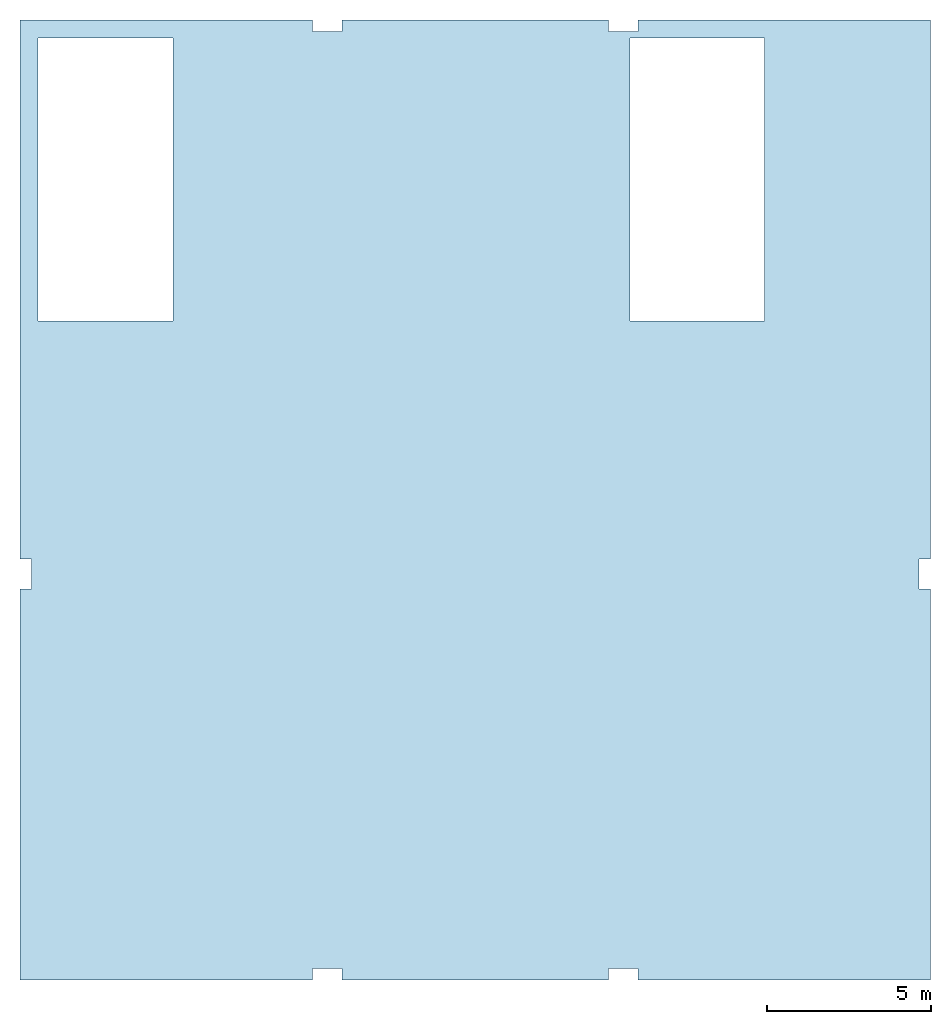
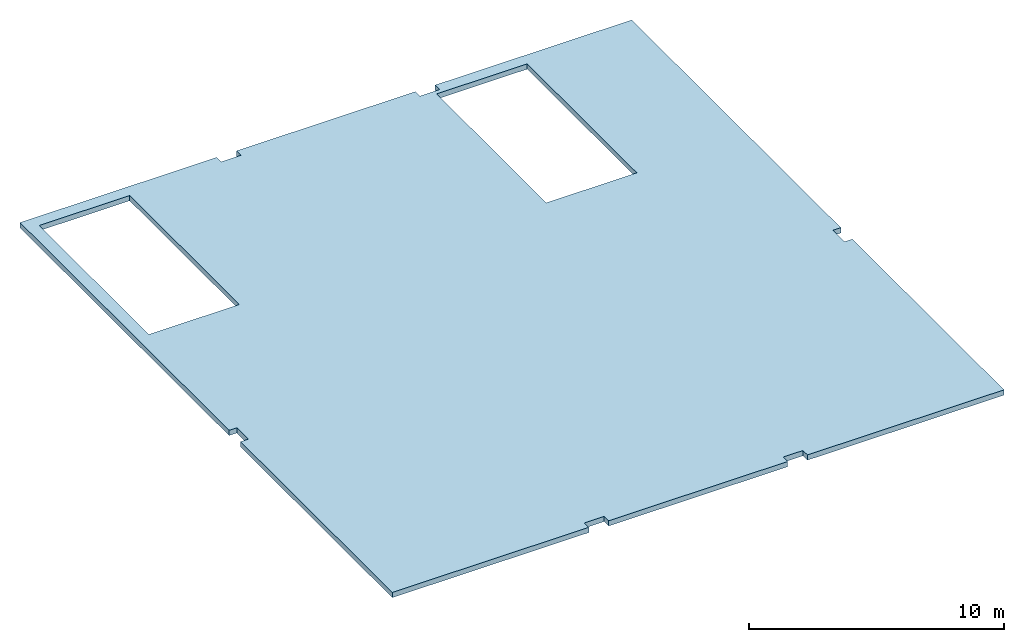
# One storey: 1 slab.
"""IFC4 building model written with IfcOpenShell, lengths in metres."""

from ifc_helpers import new_model, si_unit, direction, frame, origin, place, context, subcontext, project, spatial, polyline, outline, extrude, material, layer, layer_set, type_object, element, save


model = new_model("IFC4")

# Units and contexts
model_context = context("Model", 3, precision=1e-05, world=origin(), true_north=direction((0.0, 1.0)))
body_context = subcontext(model_context, "Body", "Model", "MODEL_VIEW")
ifc_project = project(units=[si_unit("LENGTHUNIT", "METRE"), si_unit("AREAUNIT", "SQUARE_METRE"), si_unit("VOLUMEUNIT", "CUBIC_METRE"), si_unit("PLANEANGLEUNIT", "RADIAN"), si_unit("MASSUNIT", "GRAM", prefix="KILO")], contexts=[model_context])

# Site, building, storey
site_placement = place(None, origin())
site = spatial("IfcSite", under=ifc_project, at=site_placement, CompositionType="ELEMENT")
building_placement = place(site_placement, origin())
building = spatial("IfcBuilding", under=site, at=building_placement, Name="Aurelan Courthouse", CompositionType="ELEMENT")
storey_placement = place(building_placement, frame((0.0, 0.0, 62.39990234375)))
storey = spatial("IfcBuildingStorey", under=building, at=storey_placement, Name="ROOF", CompositionType="ELEMENT", Elevation=62.39990234375)

# Slab
ifc_material = material(Name="Concrete C40", Category="concrete")
ifc_layer = layer(ifc_material, 0.25)
ifc_layer_set = layer_set([ifc_layer], Name="Concrete C40")
slab_type = type_object("IfcSlabType", Name="Roof slab 250", PredefinedType="ROOF", material=ifc_layer_set)
slab_placement = place(storey_placement, frame((0.0, 0.0, -0.25)))
element("IfcSlab", 1, at=slab_placement, inside=storey, type_object=slab_type, Name="Roof slab V5 SL-L11-02", PredefinedType="ROOF", context=body_context, shape_type="SweptSolid", body=[
    extrude(outline(polyline([(-0.35009765625, 0.449951171875), (-0.35009765625, -0.35009765625), (0.449951171875, -0.35009765625), (8.550048828125, -0.35009765625), (8.550048828125, 0.0), (9.449951171875, 0.0), (9.449951171875, -0.35009765625), (17.550048828125, -0.35009765625), (17.550048828125, 0.0), (18.449951171875, 0.0), (18.449951171875, -0.35009765625), (26.550048828125, -0.35009765625), (27.35009765625, -0.35009765625), (27.35009765625, 0.449951171875), (27.35009765625, 11.550048828125), (27.0, 11.550048828125), (27.0, 12.449951171875), (27.35009765625, 12.449951171875), (27.35009765625, 28.050048828125), (27.35009765625, 28.85009765625), (26.550048828125, 28.85009765625), (18.449951171875, 28.85009765625), (18.449951171875, 28.5), (17.550048828125, 28.5), (17.550048828125, 28.85009765625), (9.449951171875, 28.85009765625), (9.449951171875, 28.5), (8.550048828125, 28.5), (8.550048828125, 28.85009765625), (0.449951171875, 28.85009765625), (-0.35009765625, 28.85009765625), (-0.35009765625, 28.050048828125), (-0.35009765625, 12.449951171875), (0.0, 12.449951171875), (0.0, 11.550048828125), (-0.35009765625, 11.550048828125), (-0.35009765625, 0.449951171875)]), holes=[polyline([(18.199951171875, 28.300048828125), (22.300048828125, 28.300048828125), (22.300048828125, 19.699951171875), (18.199951171875, 19.699951171875), (18.199951171875, 28.300048828125)]), polyline([(4.300048828125, 28.300048828125), (4.300048828125, 19.699951171875), (0.199951171875, 19.699951171875), (0.199951171875, 28.300048828125), (4.300048828125, 28.300048828125)])]), origin(), (0.0, 0.0, 1.0), 0.25),
])

save(model, "model.ifc")
